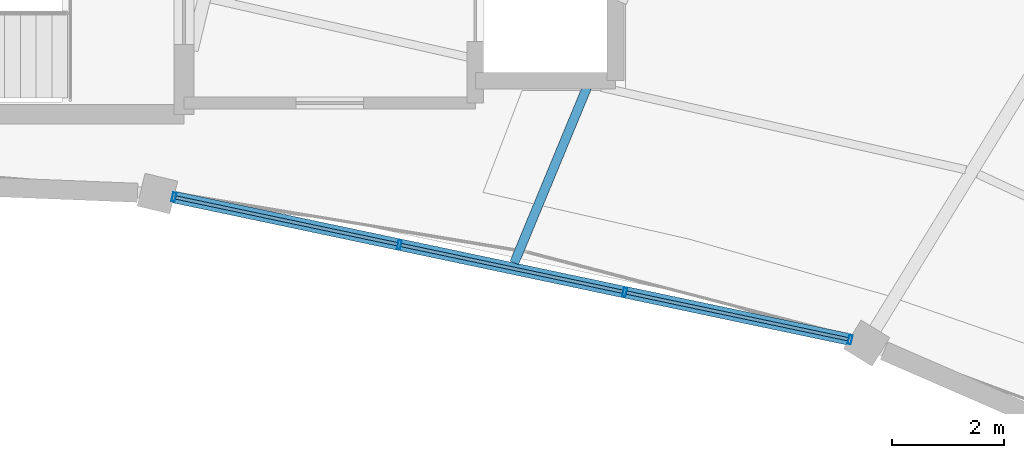
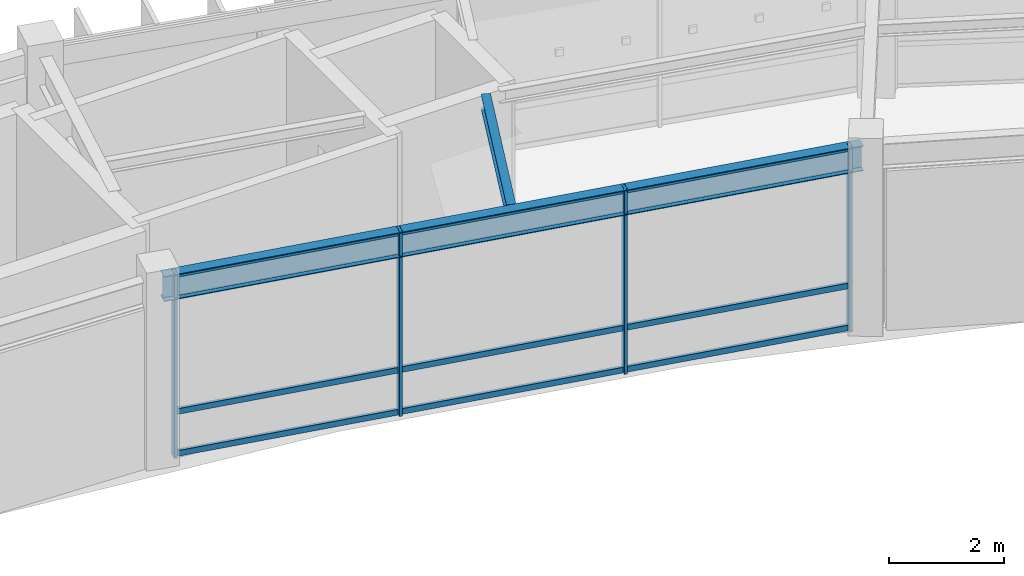
# One storey, part 64 of 114: 13 members, 2 beams, 1 element without a shape of its own.
"""IFC4 building model written with IfcOpenShell, lengths in metres."""

from ifc_helpers import new_model, si_unit, direction, frame, origin, origin_2d, place, context, subcontext, project, spatial, hollow_rectangle, i_section, extrude, material, material_profile, profile_set, type_object, element, aggregate, save


model = new_model("IFC4")

# Units and contexts
model_context = context("Model", 3, precision=1e-05, world=origin(), true_north=direction((0.0, 1.0)))
body_context = subcontext(model_context, "Body", "Model", "MODEL_VIEW")
ifc_project = project(units=[si_unit("LENGTHUNIT", "METRE"), si_unit("AREAUNIT", "SQUARE_METRE"), si_unit("VOLUMEUNIT", "CUBIC_METRE"), si_unit("PLANEANGLEUNIT", "RADIAN"), si_unit("MASSUNIT", "GRAM", prefix="KILO"), si_unit("THERMODYNAMICTEMPERATUREUNIT", "KELVIN"), si_unit("POWERUNIT", "WATT")], contexts=[model_context])

# Site, building, storey
site_placement = place(None, origin())
site = spatial("IfcSite", under=ifc_project, at=site_placement, CompositionType="ELEMENT")
building_placement = place(site_placement, origin())
building = spatial("IfcBuilding", under=site, at=building_placement, Name="Darbajah Civic Hall", CompositionType="ELEMENT")
storey_placement = place(building_placement, frame((0.0, 0.0, 13.800048828125)))
storey = spatial("IfcBuildingStorey", under=building, at=storey_placement, Name="L03", CompositionType="ELEMENT", Elevation=13.800048828125)

# Curtain wall, members
ifc_material_1 = material(Name="Anodised Bronze Aluminium and Low-E Glazing", Category="aluminium")
curtain_wall_type = type_object("IfcCurtainWallType", Name="Unitised Curtain Wall CW-41 12300x3900", PredefinedType="USERDEFINED", material=ifc_material_1)
curtain_wall_placement = place(storey_placement, origin())
curtain_wall = element("IfcCurtainWall", 1, at=curtain_wall_placement, inside=storey, type_object=curtain_wall_type, Name="L03 unitised curtain wall CW-V1I-L03-03", ObjectType="UNITISED CURTAIN WALL", PredefinedType="USERDEFINED")
ifc_material_2 = material(Name="Anodised Bronze Aluminium", Category="aluminium")
ifc_material_profile_1 = material_profile(ifc_material_2, hollow_rectangle(XDim=0.06005859375, YDim=0.159912109375, WallThickness=0.00341796875, at=origin_2d()), Name="ALU MULLION 60x160")
ifc_profile_set_1 = profile_set([ifc_material_profile_1], Name="Anodised Bronze Aluminium")
member_type_1 = type_object("IfcMemberType", Name="ALU MULLION 60x160", PredefinedType="MULLION", material=ifc_profile_set_1)
member_1_placement = place(storey_placement, frame((111.68994140625, 108.876220703125, 0.0), z_axis=(0.0, 0.0, 1.0), x_axis=(-0.978472980779, 0.206374964291, 0.0)))
member_1 = element("IfcMember", 2, at=member_1_placement, type_object=member_type_1, Name="CW-V1I-L03-03 mullion 1", PredefinedType="MULLION", context=body_context, shape_type="SweptSolid", body=[
    extrude(hollow_rectangle(XDim=0.06005859375, YDim=0.159912109375, WallThickness=0.00341796875, at=origin_2d()), origin(), (0.0, 0.0, 1.0), 3.919921875),
])
member_2_placement = place(storey_placement, frame((107.666748046875, 109.724609375, 0.0), z_axis=(0.0, 0.0, 1.0), x_axis=(-0.978472980779, 0.206374964291, 0.0)))
member_2 = element("IfcMember", 3, at=member_2_placement, type_object=member_type_1, Name="CW-V1I-L03-03 mullion 2", PredefinedType="MULLION", context=body_context, shape_type="SweptSolid", body=[
    extrude(hollow_rectangle(XDim=0.06005859375, YDim=0.159912109375, WallThickness=0.00341796875, at=origin_2d()), origin(), (0.0, 0.0, 1.0), 3.919921875),
])
member_3_placement = place(storey_placement, frame((103.6435546875, 110.572998046875, 0.0), z_axis=(0.0, 0.0, 1.0), x_axis=(-0.978472980779, 0.206374964291, 0.0)))
member_3 = element("IfcMember", 4, at=member_3_placement, type_object=member_type_1, Name="CW-V1I-L03-03 mullion 3", PredefinedType="MULLION", context=body_context, shape_type="SweptSolid", body=[
    extrude(hollow_rectangle(XDim=0.06005859375, YDim=0.159912109375, WallThickness=0.00341796875, at=origin_2d()), origin(), (0.0, 0.0, 1.0), 3.919921875),
])
member_4_placement = place(storey_placement, frame((99.620361328125, 111.42138671875, 0.0), z_axis=(0.0, 0.0, 1.0), x_axis=(-0.978472980779, 0.206374964291, 0.0)))
member_4 = element("IfcMember", 5, at=member_4_placement, type_object=member_type_1, Name="CW-V1I-L03-03 mullion 4", PredefinedType="MULLION", context=body_context, shape_type="SweptSolid", body=[
    extrude(hollow_rectangle(XDim=0.06005859375, YDim=0.159912109375, WallThickness=0.00341796875, at=origin_2d()), origin(), (0.0, 0.0, 1.0), 3.919921875),
])
ifc_material_profile_2 = material_profile(ifc_material_2, hollow_rectangle(XDim=0.06005859375, YDim=0.1201171875, WallThickness=0.003173828125, at=origin_2d()), Name="ALU TRANSOM 60x120")
ifc_profile_set_2 = profile_set([ifc_material_profile_2], Name="Anodised Bronze Aluminium")
member_type_2 = type_object("IfcMemberType", Name="ALU TRANSOM 60x120", PredefinedType="USERDEFINED", material=ifc_profile_set_2)
member_5_placement = place(storey_placement, frame((111.65576171875, 108.88330078125, 0.06005859375), z_axis=(-0.978480513775, 0.206339245327, 0.0), x_axis=(-0.206339245327, -0.978480513775, 0.0)))
member_5 = element("IfcMember", 6, at=member_5_placement, type_object=member_type_2, Name="CW-V1I-L03-03 transom 1.1", ObjectType="TRANSOM", PredefinedType="USERDEFINED", context=body_context, shape_type="SweptSolid", body=[
    extrude(hollow_rectangle(XDim=0.06005859375, YDim=0.1201171875, WallThickness=0.003173828125, at=origin_2d()), origin(), (0.0, 0.0, 1.0), 4.041748046875),
])
member_6_placement = place(storey_placement, frame((111.65576171875, 108.88330078125, 0.949951171875), z_axis=(-0.978480513775, 0.206339245327, 0.0), x_axis=(-0.206339245327, -0.978480513775, 0.0)))
member_6 = element("IfcMember", 7, at=member_6_placement, type_object=member_type_2, Name="CW-V1I-L03-03 transom 1.2", ObjectType="TRANSOM", PredefinedType="USERDEFINED", context=body_context, shape_type="SweptSolid", body=[
    extrude(hollow_rectangle(XDim=0.06005859375, YDim=0.1201171875, WallThickness=0.003173828125, at=origin_2d()), origin(), (0.0, 0.0, 1.0), 4.041748046875),
])
member_7_placement = place(storey_placement, frame((111.65576171875, 108.88330078125, 3.85986328125), z_axis=(-0.978480513775, 0.206339245327, 0.0), x_axis=(-0.206339245327, -0.978480513775, 0.0)))
member_7 = element("IfcMember", 8, at=member_7_placement, type_object=member_type_2, Name="CW-V1I-L03-03 transom 1.3", ObjectType="TRANSOM", PredefinedType="USERDEFINED", context=body_context, shape_type="SweptSolid", body=[
    extrude(hollow_rectangle(XDim=0.06005859375, YDim=0.1201171875, WallThickness=0.003173828125, at=origin_2d()), origin(), (0.0, 0.0, 1.0), 4.041748046875),
])
member_8_placement = place(storey_placement, frame((107.632568359375, 109.73193359375, 0.06005859375), z_axis=(-0.978480513775, 0.206339245327, 0.0), x_axis=(-0.206339245327, -0.978480513775, 0.0)))
member_8 = element("IfcMember", 9, at=member_8_placement, type_object=member_type_2, Name="CW-V1I-L03-03 transom 2.1", ObjectType="TRANSOM", PredefinedType="USERDEFINED", context=body_context, shape_type="SweptSolid", body=[
    extrude(hollow_rectangle(XDim=0.06005859375, YDim=0.1201171875, WallThickness=0.003173828125, at=origin_2d()), origin(), (0.0, 0.0, 1.0), 4.041748046875),
])
member_9_placement = place(storey_placement, frame((107.632568359375, 109.73193359375, 0.949951171875), z_axis=(-0.978480513775, 0.206339245327, 0.0), x_axis=(-0.206339245327, -0.978480513775, 0.0)))
member_9 = element("IfcMember", 10, at=member_9_placement, type_object=member_type_2, Name="CW-V1I-L03-03 transom 2.2", ObjectType="TRANSOM", PredefinedType="USERDEFINED", context=body_context, shape_type="SweptSolid", body=[
    extrude(hollow_rectangle(XDim=0.06005859375, YDim=0.1201171875, WallThickness=0.003173828125, at=origin_2d()), origin(), (0.0, 0.0, 1.0), 4.041748046875),
])
member_10_placement = place(storey_placement, frame((107.632568359375, 109.73193359375, 3.85986328125), z_axis=(-0.978480513775, 0.206339245327, 0.0), x_axis=(-0.206339245327, -0.978480513775, 0.0)))
member_10 = element("IfcMember", 11, at=member_10_placement, type_object=member_type_2, Name="CW-V1I-L03-03 transom 2.3", ObjectType="TRANSOM", PredefinedType="USERDEFINED", context=body_context, shape_type="SweptSolid", body=[
    extrude(hollow_rectangle(XDim=0.06005859375, YDim=0.1201171875, WallThickness=0.003173828125, at=origin_2d()), origin(), (0.0, 0.0, 1.0), 4.041748046875),
])
member_11_placement = place(storey_placement, frame((103.609375, 110.580322265625, 0.06005859375), z_axis=(-0.978480513775, 0.206339245327, 0.0), x_axis=(-0.206339245327, -0.978480513775, 0.0)))
member_11 = element("IfcMember", 12, at=member_11_placement, type_object=member_type_2, Name="CW-V1I-L03-03 transom 3.1", ObjectType="TRANSOM", PredefinedType="USERDEFINED", context=body_context, shape_type="SweptSolid", body=[
    extrude(hollow_rectangle(XDim=0.06005859375, YDim=0.1201171875, WallThickness=0.003173828125, at=origin_2d()), origin(), (0.0, 0.0, 1.0), 4.041748046875),
])
member_12_placement = place(storey_placement, frame((103.609375, 110.580322265625, 0.949951171875), z_axis=(-0.978480513775, 0.206339245327, 0.0), x_axis=(-0.206339245327, -0.978480513775, 0.0)))
member_12 = element("IfcMember", 13, at=member_12_placement, type_object=member_type_2, Name="CW-V1I-L03-03 transom 3.2", ObjectType="TRANSOM", PredefinedType="USERDEFINED", context=body_context, shape_type="SweptSolid", body=[
    extrude(hollow_rectangle(XDim=0.06005859375, YDim=0.1201171875, WallThickness=0.003173828125, at=origin_2d()), origin(), (0.0, 0.0, 1.0), 4.041748046875),
])
member_13_placement = place(storey_placement, frame((103.609375, 110.580322265625, 3.85986328125), z_axis=(-0.978480513775, 0.206339245327, 0.0), x_axis=(-0.206339245327, -0.978480513775, 0.0)))
member_13 = element("IfcMember", 14, at=member_13_placement, type_object=member_type_2, Name="CW-V1I-L03-03 transom 3.3", ObjectType="TRANSOM", PredefinedType="USERDEFINED", context=body_context, shape_type="SweptSolid", body=[
    extrude(hollow_rectangle(XDim=0.06005859375, YDim=0.1201171875, WallThickness=0.003173828125, at=origin_2d()), origin(), (0.0, 0.0, 1.0), 4.041748046875),
])
aggregate(curtain_wall, [member_1, member_2, member_3, member_4, member_5, member_6, member_7, member_8, member_9, member_10, member_11, member_12, member_13])

# Beams
ifc_material_3 = material(Name="Steel S355JR", Category="steel")
ifc_material_profile_3 = material_profile(ifc_material_3, i_section(OverallWidth=0.165771484375, OverallDepth=0.306640625, WebThickness=0.006591796875, FlangeThickness=0.01171875, FilletRadius=0.0087890625, at=origin_2d()), Name="UB 305x165x46")
ifc_profile_set_3 = profile_set([ifc_material_profile_3], Name="Steel S355JR")
beam_type_1 = type_object("IfcBeamType", Name="UB 305x165x46", PredefinedType="JOIST", material=ifc_profile_set_3)
beam_1_placement = place(storey_placement, frame((105.69580078125, 110.246826171875, 3.7666015625), z_axis=(0.382646399195, 0.923894871283, 0.0), x_axis=(-0.923894871283, 0.382646399195, 0.0)))
element("IfcBeam", 15, at=beam_1_placement, inside=storey, type_object=beam_type_1, Name="L03 beam SJ-305", PredefinedType="JOIST", context=body_context, shape_type="SweptSolid", body=[
    extrude(i_section(OverallWidth=0.165771484375, OverallDepth=0.306640625, WebThickness=0.006591796875, FlangeThickness=0.01171875, FilletRadius=0.0087890625, at=origin_2d()), origin(), (0.0, 0.0, 1.0), 3.39111328125),
])
ifc_material_profile_4 = material_profile(ifc_material_3, i_section(OverallWidth=0.209228515625, OverallDepth=0.533203125, WebThickness=0.010009765625, FlangeThickness=0.015625, FilletRadius=0.0126953125, at=origin_2d()), Name="UB 533x210x92")
ifc_profile_set_4 = profile_set([ifc_material_profile_4], Name="Steel S355JR")
beam_type_2 = type_object("IfcBeamType", Name="UB 533x210x92", PredefinedType="BEAM", material=ifc_profile_set_4)
beam_2_placement = place(storey_placement, frame((111.906982421875, 108.830322265625, 3.653564453125), z_axis=(-0.978476951565, 0.206356136949, 0.0), x_axis=(-0.206356136949, -0.978476951565, 0.0)))
element("IfcBeam", 16, at=beam_2_placement, inside=storey, type_object=beam_type_2, Name="L03 beam SB-533", PredefinedType="BEAM", context=body_context, shape_type="SweptSolid", body=[
    extrude(i_section(OverallWidth=0.209228515625, OverallDepth=0.533203125, WebThickness=0.010009765625, FlangeThickness=0.015625, FilletRadius=0.0126953125, at=origin_2d()), origin(), (0.0, 0.0, 1.0), 12.77880859375),
])

save(model, "model.ifc")
